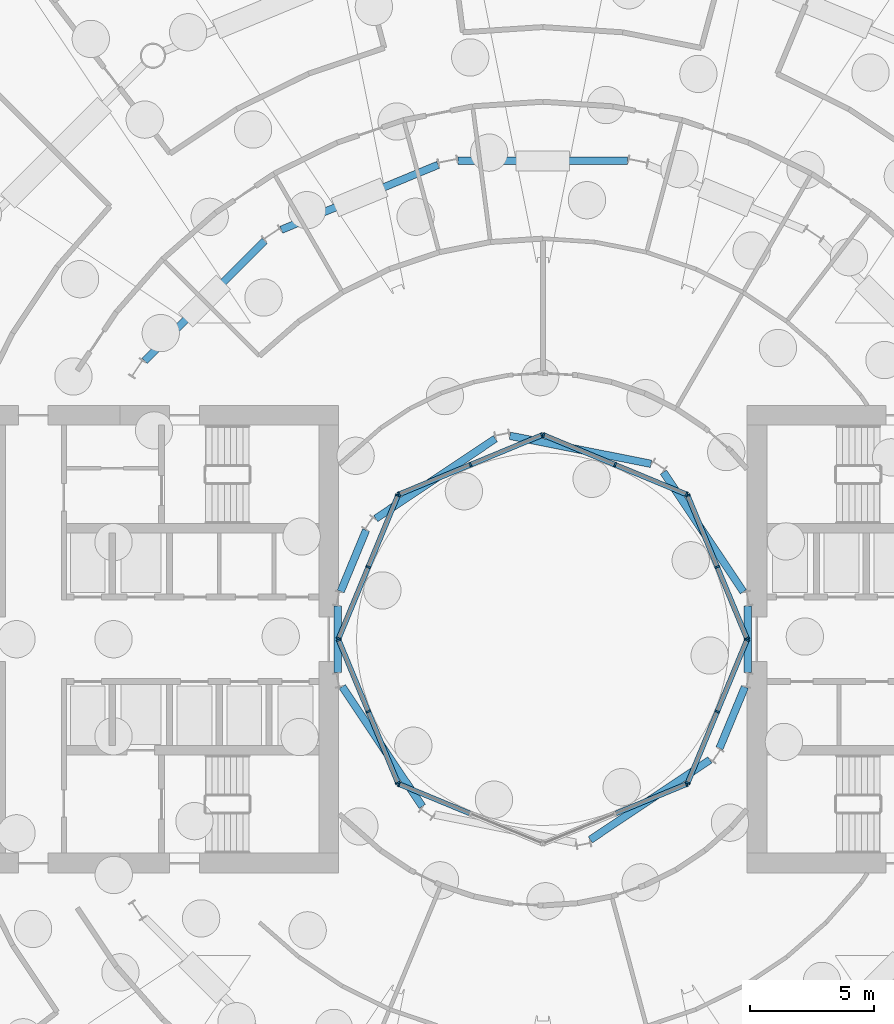
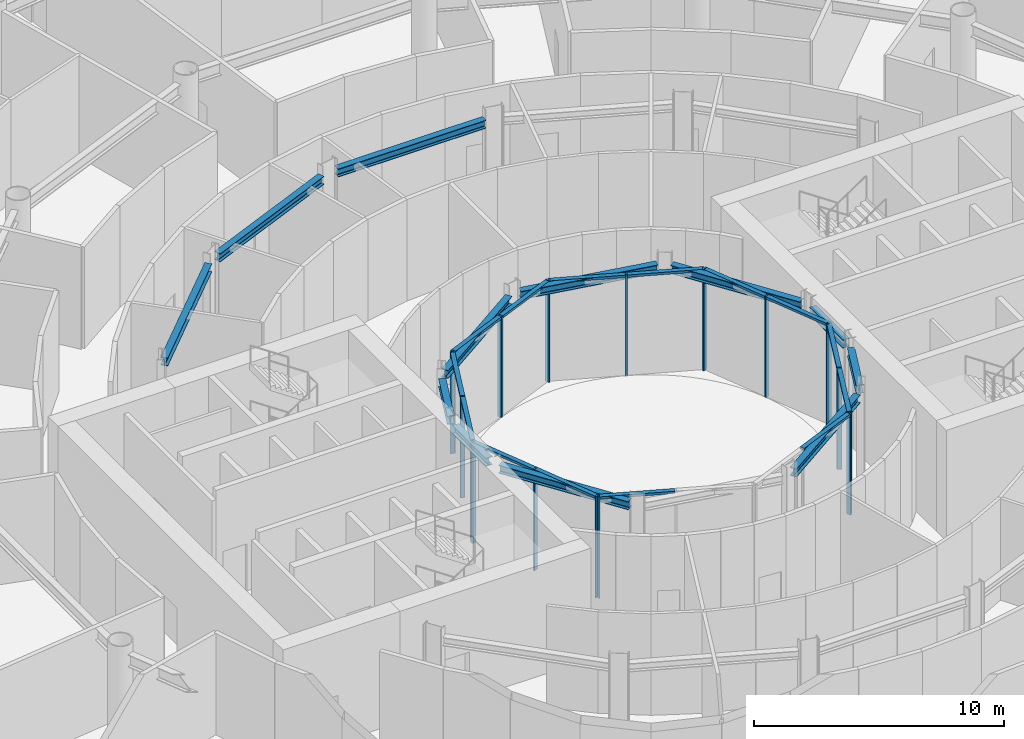
# One storey, part 14 of 41: 34 members, 12 beams, 8 elements without a shape of their own.
"""IFC4 building model written with IfcOpenShell, lengths in metres."""

import ifcopenshell
import ifcopenshell.guid

model = None  # the IFC model being written
_history = None  # IfcOwnerHistory: only IFC2X3 demands one
_inside = {}  # id of a spatial element -> (the spatial element, [elements in it])
_under = {}  # id of a project, library or spatial element -> (it, [spatial elements below it])
_declared = {}  # id of a project -> (the project, [libraries it declares])
_typed = {}  # id of a type object -> (the type object, [elements of that type])
_made_of = {}  # id of a material, layer set ... -> (it, [elements and type objects made of it])


def new_model(schema):
    """Start an empty IFC model of exactly this schema.

    Asked for "IFC4X3", IfcOpenShell would pick the latest addendum, in which some entities
    have other attributes; the version numbers below select the first issue.
    IFC2X3 requires an IfcOwnerHistory on every rooted entity: one is made here for all.
    """
    global model, _history
    if schema == "IFC4X3":
        model = ifcopenshell.file(schema_version=(4, 3, 0, 0))
    else:
        model = ifcopenshell.file(schema=schema)
    _inside.clear()
    _under.clear()
    _declared.clear()
    _typed.clear()
    _made_of.clear()
    _history = None
    if model.schema == "IFC2X3":
        org = make("IfcOrganization", Name="unknown")
        user = make(
            "IfcPersonAndOrganization",
            ThePerson=make("IfcPerson", FamilyName="unknown"),
            TheOrganization=org,
        )
        app = make(
            "IfcApplication",
            ApplicationDeveloper=org,
            Version="unknown",
            ApplicationFullName="unknown",
            ApplicationIdentifier="unknown",
        )
        _history = make(
            "IfcOwnerHistory",
            OwningUser=user,
            OwningApplication=app,
            ChangeAction="ADDED",
            CreationDate=0,
        )
    return model


def make(cls, **values):
    """One entity of the class cls with the attributes given. An attribute that is None is left unset."""
    return model.create_entity(
        cls, **{name: value for name, value in values.items() if value is not None}
    )


def rooted(cls, **values):
    """An entity with a GlobalId (a new one), such as an element, a storey or a relation."""
    return make(cls, GlobalId=ifcopenshell.guid.new(), OwnerHistory=_history, **values)


def si_unit(unit_type, name, prefix=None):
    """IfcSIUnit, for example si_unit("LENGTHUNIT", "METRE", prefix="MILLI")."""
    return make("IfcSIUnit", UnitType=unit_type, Prefix=prefix, Name=name)


def assignment(units):
    """IfcUnitAssignment: the units of a project."""
    return None if units is None else make("IfcUnitAssignment", Units=units)


def point(xyz):
    """IfcCartesianPoint."""
    return None if xyz is None else make("IfcCartesianPoint", Coordinates=xyz)


def direction(xyz):
    """IfcDirection."""
    return None if xyz is None else make("IfcDirection", DirectionRatios=xyz)


def frame(location, z_axis=None, x_axis=None):
    """IfcAxis2Placement3D, a coordinate frame: its origin and axes. An axis left out is left unset."""
    return make(
        "IfcAxis2Placement3D",
        Location=point(location),
        Axis=direction(z_axis),
        RefDirection=direction(x_axis),
    )


def frame_2d(location, x_axis=None):
    """IfcAxis2Placement2D, a coordinate frame in the plane: its origin and x axis."""
    return make(
        "IfcAxis2Placement2D", Location=point(location), RefDirection=direction(x_axis)
    )


def origin():
    """The frame at (0, 0, 0) with its axes left unset."""
    return frame((0.0, 0.0, 0.0))


def origin_2d():
    """The frame at (0, 0) in the plane with its x axis left unset."""
    return frame_2d((0.0, 0.0))


def place(relative_to, where):
    """IfcLocalPlacement: puts the frame where relative to a parent placement (None: the world)."""
    return make(
        "IfcLocalPlacement", PlacementRelTo=relative_to, RelativePlacement=where
    )


def context(
    kind, dimensions, precision=None, world=None, true_north=None, identifier=None
):
    """IfcGeometricRepresentationContext, for example the 3D "Model" context."""
    return make(
        "IfcGeometricRepresentationContext",
        ContextIdentifier=identifier,
        ContextType=kind,
        CoordinateSpaceDimension=dimensions,
        Precision=precision,
        WorldCoordinateSystem=world,
        TrueNorth=true_north,
    )


def subcontext(parent, identifier, kind, view, scale=None):
    """IfcGeometricRepresentationSubContext, for example "Body" below "Model"."""
    return make(
        "IfcGeometricRepresentationSubContext",
        ContextIdentifier=identifier,
        ContextType=kind,
        ParentContext=parent,
        TargetScale=scale,
        TargetView=view,
    )


def project(units=None, contexts=None):
    """IfcProject with its units and contexts."""
    return rooted(
        "IfcProject",
        Name="project",
        RepresentationContexts=contexts,
        UnitsInContext=assignment(units),
    )


def spatial(cls, under=None, at=None, **own):
    """A site, building, storey or space (cls), placed at a placement, below another one or the project."""
    s = rooted(cls, ObjectPlacement=at, **own)
    if under is not None:
        _under.setdefault(under.id(), (under, []))[1].append(s)
    return s


def profile(cls, at=None, kind="AREA", **sizes):
    """A parametric profile (cls). Its sizes go by their IFC names, for example OverallWidth=200.0."""
    return make(cls, ProfileType=kind, Position=at, **sizes)


def rectangle(**sizes):
    """IfcRectangleProfileDef."""
    return profile("IfcRectangleProfileDef", **sizes)


def i_section(**sizes):
    """IfcIShapeProfileDef."""
    return profile("IfcIShapeProfileDef", **sizes)


def extrude(swept, where, along, depth):
    """IfcExtrudedAreaSolid: the profile swept, set in the frame where, extruded along a direction by depth."""
    return make(
        "IfcExtrudedAreaSolid",
        SweptArea=swept,
        Position=where,
        ExtrudedDirection=direction(along),
        Depth=depth,
    )


def shape(context_of_items, identifier, shape_type, items):
    """IfcShapeRepresentation: the items that make up one representation, for example the "Body"."""
    return make(
        "IfcShapeRepresentation",
        ContextOfItems=context_of_items,
        RepresentationIdentifier=identifier,
        RepresentationType=shape_type,
        Items=items,
    )


def material(Name=None, Category=None):
    """IfcMaterial."""
    return make("IfcMaterial", Name=Name, Category=Category)


def layer(
    of_material, thickness, ventilated=None, Name=None, Category=None, Priority=None
):
    """IfcMaterialLayer: one layer of a wall or slab, of a material (None: an air gap)."""
    return make(
        "IfcMaterialLayer",
        Material=of_material,
        LayerThickness=thickness,
        IsVentilated=ventilated,
        Name=Name,
        Category=Category,
        Priority=Priority,
    )


def layer_set(layers, Name=None):
    """IfcMaterialLayerSet."""
    return make("IfcMaterialLayerSet", MaterialLayers=layers, LayerSetName=Name)


def material_profile(
    of_material, cross_section, Name=None, Category=None, Priority=None
):
    """IfcMaterialProfile: a cross section and its material."""
    return make(
        "IfcMaterialProfile",
        Name=Name,
        Material=of_material,
        Profile=cross_section,
        Priority=Priority,
        Category=Category,
    )


def profile_set(profiles, Name=None, composite=None):
    """IfcMaterialProfileSet."""
    return make(
        "IfcMaterialProfileSet",
        Name=Name,
        MaterialProfiles=profiles,
        CompositeProfile=composite,
    )


def made_of(thing, what):
    """Note that an element or type object is made of a material, layer set ...; save() writes the relation."""
    if what is not None:
        _made_of.setdefault(what.id(), (what, []))[1].append(thing)
    return thing


def type_object(cls, material=None, **own):
    """A type object (cls), such as IfcWallType, which elements share."""
    return made_of(rooted(cls, **own), material)


def element(
    cls,
    number,
    at=None,
    inside=None,
    cuts=None,
    type_object=None,
    material=None,
    context=None,
    identifier="Body",
    shape_type=None,
    held_by="IfcProductDefinitionShape",
    body=None,
    shapes=None,
    **own,
):
    """One element of the class cls, such as IfcWall. Its Tag is "e" and its number.

    at: its placement. inside: the storey or other place that contains it. cuts: it is an
    opening in that element (IfcRelVoidsElement). A single representation is given by context,
    identifier, shape_type and body (its items); several are given by shapes. held_by: the class
    of the entity that holds the representations. save() writes the other relations.
    """
    e = rooted(cls, Tag="e%d" % number, ObjectPlacement=at, **own)
    if body is not None:
        shapes = [shape(context, identifier, shape_type, body)]
    if shapes is not None:
        e.Representation = make(held_by, Representations=shapes)
    if inside is not None:
        _inside.setdefault(inside.id(), (inside, []))[1].append(e)
    if cuts is not None:
        rooted(
            "IfcRelVoidsElement", RelatingBuildingElement=cuts, RelatedOpeningElement=e
        )
    if type_object is not None:
        _typed.setdefault(type_object.id(), (type_object, []))[1].append(e)
    return made_of(e, material)


def aggregate(whole, parts):
    """IfcRelAggregates: a whole, such as a stair, and the parts it consists of."""
    return rooted("IfcRelAggregates", RelatingObject=whole, RelatedObjects=parts)


def save(model, path):
    """Write the relations noted so far, then the file.

    IfcRelAggregates (storeys below a building ...), IfcRelContainedInSpatialStructure (elements
    in a storey), IfcRelDefinesByType, IfcRelAssociatesMaterial and IfcRelDeclares: one each for
    every whole, place, type object, material and project.
    """
    for whole, parts in _under.values():
        aggregate(whole, parts)
    for where, things in _inside.values():
        rooted(
            "IfcRelContainedInSpatialStructure",
            RelatedElements=things,
            RelatingStructure=where,
        )
    for kind, things in _typed.values():
        rooted("IfcRelDefinesByType", RelatedObjects=things, RelatingType=kind)
    for what, things in _made_of.values():
        rooted("IfcRelAssociatesMaterial", RelatedObjects=things, RelatingMaterial=what)
    for by, libraries in _declared.values():
        rooted("IfcRelDeclares", RelatingContext=by, RelatedDefinitions=libraries)
    model.write(path)


model = new_model("IFC4")

# Units and contexts
model_context = context("Model", 3, precision=1e-05, world=origin(), true_north=direction((0.0, 1.0)))
body_context = subcontext(model_context, "Body", "Model", "MODEL_VIEW")
ifc_project = project(units=[si_unit("LENGTHUNIT", "METRE"), si_unit("AREAUNIT", "SQUARE_METRE"), si_unit("VOLUMEUNIT", "CUBIC_METRE"), si_unit("PLANEANGLEUNIT", "RADIAN"), si_unit("MASSUNIT", "GRAM", prefix="KILO")], contexts=[model_context])

# Site, building, storey
site_placement = place(None, origin())
site = spatial("IfcSite", under=ifc_project, at=site_placement, CompositionType="ELEMENT")
building_placement = place(site_placement, origin())
building = spatial("IfcBuilding", under=site, at=building_placement, Name="Maasbend Ring Residences", CompositionType="ELEMENT")
storey_placement = place(building_placement, origin())
storey = spatial("IfcBuildingStorey", under=building, at=storey_placement, Name="L00", CompositionType="ELEMENT", Elevation=0.0)

# Curtain wall, members
ifc_material_1 = material(Name="Aluminium and clear glass", Category="aluminium")
ifc_layer = layer(ifc_material_1, 0.199951171875)
ifc_layer_set = layer_set([ifc_layer], Name="CW-LR")
curtain_wall_type = type_object("IfcCurtainWallType", Name="CW-LR", PredefinedType="NOTDEFINED", material=ifc_layer_set)
curtain_wall_1_placement = place(storey_placement, origin())
curtain_wall_1 = element("IfcCurtainWall", 1, at=curtain_wall_1_placement, inside=storey, type_object=curtain_wall_type, Name="Lobby ring curtain wall 01", PredefinedType="NOTDEFINED")
ifc_material_2 = material(Name="Aluminium 6063-T6", Category="aluminium")
ifc_material_profile_1 = material_profile(ifc_material_2, rectangle(XDim=0.199951171875, YDim=0.070068359375, at=origin_2d()), Name="AL 200x70")
ifc_profile_set_1 = profile_set([ifc_material_profile_1], Name="Aluminium 6063-T6")
member_type_1 = type_object("IfcMemberType", Name="CWM-LR", PredefinedType="MULLION", material=ifc_profile_set_1)
member_1_placement = place(storey_placement, frame((8.201904296875, 0.0322265625, 0.0), z_axis=(0.0, 0.0, 1.0), x_axis=(-0.923879532511, -0.382683432365, 0.0)))
member_1 = element("IfcMember", 2, at=member_1_placement, type_object=member_type_1, Name="Mullion podium lobby ring", PredefinedType="MULLION", context=body_context, shape_type="SweptSolid", body=[
    extrude(rectangle(XDim=0.199951171875, YDim=0.070068359375, at=origin_2d()), origin(), (0.0, 0.0, 1.0), 4.949951171875),
])
member_2_placement = place(storey_placement, frame((7.01220703125, 2.904541015625, 0.0), z_axis=(0.0, 0.0, 1.0), x_axis=(-0.923879532511, -0.382683432365, 0.0)))
member_2 = element("IfcMember", 3, at=member_2_placement, type_object=member_type_1, Name="Mullion podium lobby ring", PredefinedType="MULLION", context=body_context, shape_type="SweptSolid", body=[
    extrude(rectangle(XDim=0.199951171875, YDim=0.070068359375, at=origin_2d()), origin(), (0.0, 0.0, 1.0), 4.949951171875),
])
member_3_placement = place(storey_placement, frame((5.822509765625, 5.77685546875, 0.0), z_axis=(0.0, 0.0, 1.0), x_axis=(-0.923879532511, -0.382683432365, 0.0)))
member_3 = element("IfcMember", 4, at=member_3_placement, type_object=member_type_1, Name="Mullion podium lobby ring", PredefinedType="MULLION", context=body_context, shape_type="SweptSolid", body=[
    extrude(rectangle(XDim=0.199951171875, YDim=0.070068359375, at=origin_2d()), origin(), (0.0, 0.0, 1.0), 4.949951171875),
])

curtain_wall_2_placement = place(storey_placement, origin())
curtain_wall_2 = element("IfcCurtainWall", 5, at=curtain_wall_2_placement, inside=storey, type_object=curtain_wall_type, Name="Lobby ring curtain wall 02", PredefinedType="NOTDEFINED")
member_4_placement = place(storey_placement, frame((5.77685546875, 5.822509765625, 0.0), z_axis=(0.0, 0.0, 1.0), x_axis=(-0.382683432365, -0.923879532511, 0.0)))
member_4 = element("IfcMember", 6, at=member_4_placement, type_object=member_type_1, Name="Mullion podium lobby ring", PredefinedType="MULLION", context=body_context, shape_type="SweptSolid", body=[
    extrude(rectangle(XDim=0.199951171875, YDim=0.070068359375, at=origin_2d()), origin(), (0.0, 0.0, 1.0), 4.949951171875),
])
member_5_placement = place(storey_placement, frame((2.904541015625, 7.01220703125, 0.0), z_axis=(0.0, 0.0, 1.0), x_axis=(-0.382683432365, -0.923879532511, 0.0)))
member_5 = element("IfcMember", 7, at=member_5_placement, type_object=member_type_1, Name="Mullion podium lobby ring", PredefinedType="MULLION", context=body_context, shape_type="SweptSolid", body=[
    extrude(rectangle(XDim=0.199951171875, YDim=0.070068359375, at=origin_2d()), origin(), (0.0, 0.0, 1.0), 4.949951171875),
])
member_6_placement = place(storey_placement, frame((0.0322265625, 8.201904296875, 0.0), z_axis=(0.0, 0.0, 1.0), x_axis=(-0.382683432365, -0.923879532511, 0.0)))
member_6 = element("IfcMember", 8, at=member_6_placement, type_object=member_type_1, Name="Mullion podium lobby ring", PredefinedType="MULLION", context=body_context, shape_type="SweptSolid", body=[
    extrude(rectangle(XDim=0.199951171875, YDim=0.070068359375, at=origin_2d()), origin(), (0.0, 0.0, 1.0), 4.949951171875),
])

curtain_wall_3_placement = place(storey_placement, origin())
curtain_wall_3 = element("IfcCurtainWall", 9, at=curtain_wall_3_placement, inside=storey, type_object=curtain_wall_type, Name="Lobby ring curtain wall 03", PredefinedType="NOTDEFINED")
member_7_placement = place(storey_placement, frame((-0.0322265625, 8.201904296875, 0.0), z_axis=(0.0, 0.0, 1.0), x_axis=(0.382683432365, -0.923879532511, 0.0)))
member_7 = element("IfcMember", 10, at=member_7_placement, type_object=member_type_1, Name="Mullion podium lobby ring", PredefinedType="MULLION", context=body_context, shape_type="SweptSolid", body=[
    extrude(rectangle(XDim=0.199951171875, YDim=0.070068359375, at=origin_2d()), origin(), (0.0, 0.0, 1.0), 4.949951171875),
])
member_8_placement = place(storey_placement, frame((-2.904541015625, 7.01220703125, 0.0), z_axis=(0.0, 0.0, 1.0), x_axis=(0.382683432365, -0.923879532511, 0.0)))
member_8 = element("IfcMember", 11, at=member_8_placement, type_object=member_type_1, Name="Mullion podium lobby ring", PredefinedType="MULLION", context=body_context, shape_type="SweptSolid", body=[
    extrude(rectangle(XDim=0.199951171875, YDim=0.070068359375, at=origin_2d()), origin(), (0.0, 0.0, 1.0), 4.949951171875),
])
member_9_placement = place(storey_placement, frame((-5.77685546875, 5.822509765625, 0.0), z_axis=(0.0, 0.0, 1.0), x_axis=(0.382683432365, -0.923879532511, 0.0)))
member_9 = element("IfcMember", 12, at=member_9_placement, type_object=member_type_1, Name="Mullion podium lobby ring", PredefinedType="MULLION", context=body_context, shape_type="SweptSolid", body=[
    extrude(rectangle(XDim=0.199951171875, YDim=0.070068359375, at=origin_2d()), origin(), (0.0, 0.0, 1.0), 4.949951171875),
])

curtain_wall_4_placement = place(storey_placement, origin())
curtain_wall_4 = element("IfcCurtainWall", 13, at=curtain_wall_4_placement, inside=storey, type_object=curtain_wall_type, Name="Lobby ring curtain wall 04", PredefinedType="NOTDEFINED")
member_10_placement = place(storey_placement, frame((-5.822509765625, 5.77685546875, 0.0), z_axis=(0.0, 0.0, 1.0), x_axis=(0.923879532511, -0.382683432365, 0.0)))
member_10 = element("IfcMember", 14, at=member_10_placement, type_object=member_type_1, Name="Mullion podium lobby ring", PredefinedType="MULLION", context=body_context, shape_type="SweptSolid", body=[
    extrude(rectangle(XDim=0.199951171875, YDim=0.070068359375, at=origin_2d()), origin(), (0.0, 0.0, 1.0), 4.949951171875),
])
member_11_placement = place(storey_placement, frame((-7.01220703125, 2.904541015625, 0.0), z_axis=(0.0, 0.0, 1.0), x_axis=(0.923879532511, -0.382683432365, 0.0)))
member_11 = element("IfcMember", 15, at=member_11_placement, type_object=member_type_1, Name="Mullion podium lobby ring", PredefinedType="MULLION", context=body_context, shape_type="SweptSolid", body=[
    extrude(rectangle(XDim=0.199951171875, YDim=0.070068359375, at=origin_2d()), origin(), (0.0, 0.0, 1.0), 4.949951171875),
])
member_12_placement = place(storey_placement, frame((-8.201904296875, 0.0322265625, 0.0), z_axis=(0.0, 0.0, 1.0), x_axis=(0.923879532511, -0.382683432365, 0.0)))
member_12 = element("IfcMember", 16, at=member_12_placement, type_object=member_type_1, Name="Mullion podium lobby ring", PredefinedType="MULLION", context=body_context, shape_type="SweptSolid", body=[
    extrude(rectangle(XDim=0.199951171875, YDim=0.070068359375, at=origin_2d()), origin(), (0.0, 0.0, 1.0), 4.949951171875),
])

curtain_wall_5_placement = place(storey_placement, origin())
curtain_wall_5 = element("IfcCurtainWall", 17, at=curtain_wall_5_placement, inside=storey, type_object=curtain_wall_type, Name="Lobby ring curtain wall 05", PredefinedType="NOTDEFINED")
member_13_placement = place(storey_placement, frame((-8.201904296875, -0.0322265625, 0.0), z_axis=(0.0, 0.0, 1.0), x_axis=(0.923879532511, 0.382683432365, 0.0)))
member_13 = element("IfcMember", 18, at=member_13_placement, type_object=member_type_1, Name="Mullion podium lobby ring", PredefinedType="MULLION", context=body_context, shape_type="SweptSolid", body=[
    extrude(rectangle(XDim=0.199951171875, YDim=0.070068359375, at=origin_2d()), origin(), (0.0, 0.0, 1.0), 4.949951171875),
])
member_14_placement = place(storey_placement, frame((-7.01220703125, -2.904541015625, 0.0), z_axis=(0.0, 0.0, 1.0), x_axis=(0.923879532511, 0.382683432365, 0.0)))
member_14 = element("IfcMember", 19, at=member_14_placement, type_object=member_type_1, Name="Mullion podium lobby ring", PredefinedType="MULLION", context=body_context, shape_type="SweptSolid", body=[
    extrude(rectangle(XDim=0.199951171875, YDim=0.070068359375, at=origin_2d()), origin(), (0.0, 0.0, 1.0), 4.949951171875),
])
member_15_placement = place(storey_placement, frame((-5.822509765625, -5.77685546875, 0.0), z_axis=(0.0, 0.0, 1.0), x_axis=(0.923879532511, 0.382683432365, 0.0)))
member_15 = element("IfcMember", 20, at=member_15_placement, type_object=member_type_1, Name="Mullion podium lobby ring", PredefinedType="MULLION", context=body_context, shape_type="SweptSolid", body=[
    extrude(rectangle(XDim=0.199951171875, YDim=0.070068359375, at=origin_2d()), origin(), (0.0, 0.0, 1.0), 4.949951171875),
])

# Curtain wall, member
curtain_wall_6_placement = place(storey_placement, origin())
curtain_wall_6 = element("IfcCurtainWall", 21, at=curtain_wall_6_placement, inside=storey, type_object=curtain_wall_type, Name="Lobby ring curtain wall 06", PredefinedType="NOTDEFINED")
member_16_placement = place(storey_placement, frame((-5.77685546875, -5.822509765625, 0.0), z_axis=(0.0, 0.0, 1.0), x_axis=(0.382683432365, 0.923879532511, 0.0)))
member_16 = element("IfcMember", 22, at=member_16_placement, type_object=member_type_1, Name="Mullion podium lobby ring", PredefinedType="MULLION", context=body_context, shape_type="SweptSolid", body=[
    extrude(rectangle(XDim=0.199951171875, YDim=0.070068359375, at=origin_2d()), origin(), (0.0, 0.0, 1.0), 4.949951171875),
])

curtain_wall_7_placement = place(storey_placement, origin())
curtain_wall_7 = element("IfcCurtainWall", 23, at=curtain_wall_7_placement, inside=storey, type_object=curtain_wall_type, Name="Lobby ring curtain wall 07", PredefinedType="NOTDEFINED")
member_17_placement = place(storey_placement, frame((5.77685546875, -5.822509765625, 0.0), z_axis=(0.0, 0.0, 1.0), x_axis=(-0.382683432365, 0.923879532511, 0.0)))
member_17 = element("IfcMember", 24, at=member_17_placement, type_object=member_type_1, Name="Mullion podium lobby ring", PredefinedType="MULLION", context=body_context, shape_type="SweptSolid", body=[
    extrude(rectangle(XDim=0.199951171875, YDim=0.070068359375, at=origin_2d()), origin(), (0.0, 0.0, 1.0), 4.949951171875),
])

# Curtain wall, members
curtain_wall_8_placement = place(storey_placement, origin())
curtain_wall_8 = element("IfcCurtainWall", 25, at=curtain_wall_8_placement, inside=storey, type_object=curtain_wall_type, Name="Lobby ring curtain wall 08", PredefinedType="NOTDEFINED")
member_18_placement = place(storey_placement, frame((5.822509765625, -5.77685546875, 0.0), z_axis=(0.0, 0.0, 1.0), x_axis=(-0.923879532511, 0.382683432365, 0.0)))
member_18 = element("IfcMember", 26, at=member_18_placement, type_object=member_type_1, Name="Mullion podium lobby ring", PredefinedType="MULLION", context=body_context, shape_type="SweptSolid", body=[
    extrude(rectangle(XDim=0.199951171875, YDim=0.070068359375, at=origin_2d()), origin(), (0.0, 0.0, 1.0), 4.949951171875),
])
member_19_placement = place(storey_placement, frame((7.01220703125, -2.904541015625, 0.0), z_axis=(0.0, 0.0, 1.0), x_axis=(-0.923879532511, 0.382683432365, 0.0)))
member_19 = element("IfcMember", 27, at=member_19_placement, type_object=member_type_1, Name="Mullion podium lobby ring", PredefinedType="MULLION", context=body_context, shape_type="SweptSolid", body=[
    extrude(rectangle(XDim=0.199951171875, YDim=0.070068359375, at=origin_2d()), origin(), (0.0, 0.0, 1.0), 4.949951171875),
])
member_20_placement = place(storey_placement, frame((8.201904296875, -0.0322265625, 0.0), z_axis=(0.0, 0.0, 1.0), x_axis=(-0.923879532511, 0.382683432365, 0.0)))
member_20 = element("IfcMember", 28, at=member_20_placement, type_object=member_type_1, Name="Mullion podium lobby ring", PredefinedType="MULLION", context=body_context, shape_type="SweptSolid", body=[
    extrude(rectangle(XDim=0.199951171875, YDim=0.070068359375, at=origin_2d()), origin(), (0.0, 0.0, 1.0), 4.949951171875),
])

# Member
ifc_material_3 = material(Name="Aluminium 6063-T6", Category="aluminium")
ifc_material_profile_2 = material_profile(ifc_material_3, rectangle(XDim=0.199951171875, YDim=0.1201171875, at=origin_2d()), Name="AL 200x120")
ifc_profile_set_2 = profile_set([ifc_material_profile_2], Name="Aluminium 6063-T6")
member_type_2 = type_object("IfcMemberType", Name="CWT-LR", PredefinedType="USERDEFINED", material=ifc_profile_set_2)
member_21_placement = place(storey_placement, frame((8.1884765625, 0.064697265625, 4.889892578125), z_axis=(-0.382652165019, 0.92389248325, 0.0), x_axis=(-0.92389248325, -0.382652165019, 0.0)))
member_21 = element("IfcMember", 29, at=member_21_placement, type_object=member_type_2, Name="Transom podium lobby ring", ObjectType="TRANSOM", PredefinedType="USERDEFINED", context=body_context, shape_type="SweptSolid", body=[
    extrude(rectangle(XDim=0.199951171875, YDim=0.1201171875, at=origin_2d()), origin(), (0.0, 0.0, 1.0), 3.038818359375),
])

member_22_placement = place(storey_placement, frame((6.998779296875, 2.93701171875, 4.889892578125), z_axis=(-0.382680568965, 0.923880718565, 0.0), x_axis=(-0.923880718565, -0.382680568965, 0.0)))
member_22 = element("IfcMember", 30, at=member_22_placement, type_object=member_type_2, Name="Transom podium lobby ring", ObjectType="TRANSOM", PredefinedType="USERDEFINED", context=body_context, shape_type="SweptSolid", body=[
    extrude(rectangle(XDim=0.199951171875, YDim=0.1201171875, at=origin_2d()), origin(), (0.0, 0.0, 1.0), 3.03857421875),
])

aggregate(curtain_wall_1, [member_1, member_2, member_3, member_21, member_22])

member_23_placement = place(storey_placement, frame((5.744384765625, 5.8359375, 4.889892578125), z_axis=(-0.923880718565, 0.382680568965, 0.0), x_axis=(-0.382680568965, -0.923880718565, 0.0)))
member_23 = element("IfcMember", 31, at=member_23_placement, type_object=member_type_2, Name="Transom podium lobby ring", ObjectType="TRANSOM", PredefinedType="USERDEFINED", context=body_context, shape_type="SweptSolid", body=[
    extrude(rectangle(XDim=0.199951171875, YDim=0.1201171875, at=origin_2d()), origin(), (0.0, 0.0, 1.0), 3.03857421875),
])

member_24_placement = place(storey_placement, frame((2.872314453125, 7.025634765625, 4.889892578125), z_axis=(-0.92389248325, 0.382652165019, 0.0), x_axis=(-0.382652165019, -0.92389248325, 0.0)))
member_24 = element("IfcMember", 32, at=member_24_placement, type_object=member_type_2, Name="Transom podium lobby ring", ObjectType="TRANSOM", PredefinedType="USERDEFINED", context=body_context, shape_type="SweptSolid", body=[
    extrude(rectangle(XDim=0.199951171875, YDim=0.1201171875, at=origin_2d()), origin(), (0.0, 0.0, 1.0), 3.038818359375),
])

aggregate(curtain_wall_2, [member_4, member_5, member_6, member_23, member_24])

member_25_placement = place(storey_placement, frame((-0.064697265625, 8.1884765625, 4.889892578125), z_axis=(-0.92389248325, -0.382652165019, 0.0), x_axis=(0.382652165019, -0.92389248325, 0.0)))
member_25 = element("IfcMember", 33, at=member_25_placement, type_object=member_type_2, Name="Transom podium lobby ring", ObjectType="TRANSOM", PredefinedType="USERDEFINED", context=body_context, shape_type="SweptSolid", body=[
    extrude(rectangle(XDim=0.199951171875, YDim=0.1201171875, at=origin_2d()), origin(), (0.0, 0.0, 1.0), 3.038818359375),
])

member_26_placement = place(storey_placement, frame((-2.93701171875, 6.998779296875, 4.889892578125), z_axis=(-0.923880718565, -0.382680568965, 0.0), x_axis=(0.382680568965, -0.923880718565, 0.0)))
member_26 = element("IfcMember", 34, at=member_26_placement, type_object=member_type_2, Name="Transom podium lobby ring", ObjectType="TRANSOM", PredefinedType="USERDEFINED", context=body_context, shape_type="SweptSolid", body=[
    extrude(rectangle(XDim=0.199951171875, YDim=0.1201171875, at=origin_2d()), origin(), (0.0, 0.0, 1.0), 3.03857421875),
])

aggregate(curtain_wall_3, [member_7, member_8, member_9, member_25, member_26])

member_27_placement = place(storey_placement, frame((-5.8359375, 5.744384765625, 4.889892578125), z_axis=(-0.382680568965, -0.923880718565, 0.0), x_axis=(0.923880718565, -0.382680568965, 0.0)))
member_27 = element("IfcMember", 35, at=member_27_placement, type_object=member_type_2, Name="Transom podium lobby ring", ObjectType="TRANSOM", PredefinedType="USERDEFINED", context=body_context, shape_type="SweptSolid", body=[
    extrude(rectangle(XDim=0.199951171875, YDim=0.1201171875, at=origin_2d()), origin(), (0.0, 0.0, 1.0), 3.03857421875),
])

member_28_placement = place(storey_placement, frame((-7.025634765625, 2.872314453125, 4.889892578125), z_axis=(-0.382652165019, -0.92389248325, 0.0), x_axis=(0.92389248325, -0.382652165019, 0.0)))
member_28 = element("IfcMember", 36, at=member_28_placement, type_object=member_type_2, Name="Transom podium lobby ring", ObjectType="TRANSOM", PredefinedType="USERDEFINED", context=body_context, shape_type="SweptSolid", body=[
    extrude(rectangle(XDim=0.199951171875, YDim=0.1201171875, at=origin_2d()), origin(), (0.0, 0.0, 1.0), 3.038818359375),
])

aggregate(curtain_wall_4, [member_10, member_11, member_12, member_27, member_28])

member_29_placement = place(storey_placement, frame((-8.1884765625, -0.064697265625, 4.889892578125), z_axis=(0.382652165019, -0.92389248325, 0.0), x_axis=(0.92389248325, 0.382652165019, 0.0)))
member_29 = element("IfcMember", 37, at=member_29_placement, type_object=member_type_2, Name="Transom podium lobby ring", ObjectType="TRANSOM", PredefinedType="USERDEFINED", context=body_context, shape_type="SweptSolid", body=[
    extrude(rectangle(XDim=0.199951171875, YDim=0.1201171875, at=origin_2d()), origin(), (0.0, 0.0, 1.0), 3.038818359375),
])

member_30_placement = place(storey_placement, frame((-6.998779296875, -2.93701171875, 4.889892578125), z_axis=(0.382680568965, -0.923880718565, 0.0), x_axis=(0.923880718565, 0.382680568965, 0.0)))
member_30 = element("IfcMember", 38, at=member_30_placement, type_object=member_type_2, Name="Transom podium lobby ring", ObjectType="TRANSOM", PredefinedType="USERDEFINED", context=body_context, shape_type="SweptSolid", body=[
    extrude(rectangle(XDim=0.199951171875, YDim=0.1201171875, at=origin_2d()), origin(), (0.0, 0.0, 1.0), 3.03857421875),
])

aggregate(curtain_wall_5, [member_13, member_14, member_15, member_29, member_30])

member_31_placement = place(storey_placement, frame((-5.744384765625, -5.8359375, 4.889892578125), z_axis=(0.923880718565, -0.382680568965, 0.0), x_axis=(0.382680568965, 0.923880718565, 0.0)))
member_31 = element("IfcMember", 39, at=member_31_placement, type_object=member_type_2, Name="Transom podium lobby ring", ObjectType="TRANSOM", PredefinedType="USERDEFINED", context=body_context, shape_type="SweptSolid", body=[
    extrude(rectangle(XDim=0.199951171875, YDim=0.1201171875, at=origin_2d()), origin(), (0.0, 0.0, 1.0), 3.03857421875),
])

aggregate(curtain_wall_6, [member_16, member_31])

member_32_placement = place(storey_placement, frame((2.93701171875, -6.998779296875, 4.889892578125), z_axis=(0.923880718565, 0.382680568965, 0.0), x_axis=(-0.382680568965, 0.923880718565, 0.0)))
member_32 = element("IfcMember", 40, at=member_32_placement, type_object=member_type_2, Name="Transom podium lobby ring", ObjectType="TRANSOM", PredefinedType="USERDEFINED", context=body_context, shape_type="SweptSolid", body=[
    extrude(rectangle(XDim=0.199951171875, YDim=0.1201171875, at=origin_2d()), origin(), (0.0, 0.0, 1.0), 3.03857421875),
])

aggregate(curtain_wall_7, [member_17, member_32])

member_33_placement = place(storey_placement, frame((5.8359375, -5.744384765625, 4.889892578125), z_axis=(0.382680568965, 0.923880718565, 0.0), x_axis=(-0.923880718565, 0.382680568965, 0.0)))
member_33 = element("IfcMember", 41, at=member_33_placement, type_object=member_type_2, Name="Transom podium lobby ring", ObjectType="TRANSOM", PredefinedType="USERDEFINED", context=body_context, shape_type="SweptSolid", body=[
    extrude(rectangle(XDim=0.199951171875, YDim=0.1201171875, at=origin_2d()), origin(), (0.0, 0.0, 1.0), 3.03857421875),
])

member_34_placement = place(storey_placement, frame((7.025634765625, -2.872314453125, 4.889892578125), z_axis=(0.382652165019, 0.92389248325, 0.0), x_axis=(-0.92389248325, 0.382652165019, 0.0)))
member_34 = element("IfcMember", 42, at=member_34_placement, type_object=member_type_2, Name="Transom podium lobby ring", ObjectType="TRANSOM", PredefinedType="USERDEFINED", context=body_context, shape_type="SweptSolid", body=[
    extrude(rectangle(XDim=0.199951171875, YDim=0.1201171875, at=origin_2d()), origin(), (0.0, 0.0, 1.0), 3.038818359375),
])

aggregate(curtain_wall_8, [member_18, member_19, member_20, member_33, member_34])

# Beams
ifc_material_4 = material(Name="Steel S355J2", Category="steel")
ifc_material_profile_3 = material_profile(ifc_material_4, i_section(OverallWidth=0.300048828125, OverallDepth=0.39990234375, WebThickness=0.013427734375, FlangeThickness=0.02392578125, FilletRadius=0.027099609375, at=origin_2d()), Name="HEB 400")
ifc_profile_set_3 = profile_set([ifc_material_profile_3], Name="Steel S355J2")
beam_type_1 = type_object("IfcBeamType", Name="Corridor ring beam HEB 400", PredefinedType="BEAM", material=ifc_profile_set_3)
beam_1_placement = place(storey_placement, frame((3.40869140625, 19.223388671875, 4.75), z_axis=(-1.0, 0.0, 0.0), x_axis=(0.0, -1.0, 0.0)))
element("IfcBeam", 43, at=beam_1_placement, inside=storey, type_object=beam_type_1, Name="Corridor ring beam", PredefinedType="BEAM", context=body_context, shape_type="SweptSolid", body=[
    extrude(i_section(OverallWidth=0.300048828125, OverallDepth=0.39990234375, WebThickness=0.013427734375, FlangeThickness=0.02392578125, FilletRadius=0.027099609375, at=origin_2d()), origin(), (0.0, 0.0, 1.0), 6.8173828125),
])
for number, where, z_axis, x_axis, name in (
    (44, (-4.207275390625, 19.064697265625, 4.75), (-0.92387061516, -0.382704960046, 0.0), (0.382704960046, -0.92387061516, 0.0), "Corridor ring beam"),
    (45, (-11.1826171875, 16.00341796875, 4.75), (-0.707106781187, -0.707106781187, 0.0), (0.707106781187, -0.707106781187, 0.0), "Corridor ring beam"),
):
    element("IfcBeam", number, at=place(storey_placement, frame(where, z_axis=z_axis, x_axis=x_axis)), inside=storey, type_object=beam_type_1, Name=name, PredefinedType="BEAM", context=body_context, shape_type="SweptSolid", body=[
        extrude(i_section(OverallWidth=0.300048828125, OverallDepth=0.39990234375, WebThickness=0.013427734375, FlangeThickness=0.02392578125, FilletRadius=0.027099609375, at=origin_2d()), origin(), (0.0, 0.0, 1.0), 6.817626953125),
    ])
ifc_material_5 = material(Name="Steel S355J2", Category="steel")
ifc_material_profile_4 = material_profile(ifc_material_5, i_section(OverallWidth=0.300048828125, OverallDepth=0.39990234375, WebThickness=0.013427734375, FlangeThickness=0.02392578125, FilletRadius=0.027099609375, at=origin_2d()), Name="HEB 400")
ifc_profile_set_4 = profile_set([ifc_material_profile_4], Name="Steel S355J2")
beam_type_2 = type_object("IfcBeamType", Name="Well edge beam HEB 400", PredefinedType="BEAM", material=ifc_profile_set_4)
for number, where, z_axis, x_axis, name in (
    (46, (8.05810546875, 1.90869140625, 4.75), (-0.555557724977, 0.831477969773, 0.0), (-0.831477969773, -0.555557724977, 0.0), "Well edge beam"),
    (47, (4.348388671875, 7.047607421875, 4.75), (-0.980781612923, 0.195108758779, 0.0), (-0.195108758779, -0.980781612923, 0.0), "Well edge beam"),
    (48, (-1.90869140625, 8.05810546875, 4.75), (-0.831477969773, -0.555557724977, 0.0), (0.555557724977, -0.831477969773, 0.0), "Well edge beam"),
):
    element("IfcBeam", number, at=place(storey_placement, frame(where, z_axis=z_axis, x_axis=x_axis)), inside=storey, type_object=beam_type_2, Name=name, PredefinedType="BEAM", context=body_context, shape_type="SweptSolid", body=[
        extrude(i_section(OverallWidth=0.300048828125, OverallDepth=0.39990234375, WebThickness=0.013427734375, FlangeThickness=0.02392578125, FilletRadius=0.027099609375, at=origin_2d()), origin(), (0.0, 0.0, 1.0), 5.77978515625),
    ])
beam_2_placement = place(storey_placement, frame((-7.101318359375, 4.38427734375, 4.75), z_axis=(-0.382715761492, -0.923866140686, 0.0), x_axis=(0.923866140686, -0.382715761492, 0.0)))
element("IfcBeam", 49, at=beam_2_placement, inside=storey, type_object=beam_type_2, Name="Well edge beam", PredefinedType="BEAM", context=body_context, shape_type="SweptSolid", body=[
    extrude(i_section(OverallWidth=0.300048828125, OverallDepth=0.39990234375, WebThickness=0.013427734375, FlangeThickness=0.02392578125, FilletRadius=0.027099609375, at=origin_2d()), origin(), (0.0, 0.0, 1.0), 2.665771484375),
])
beam_3_placement = place(storey_placement, frame((-8.238525390625, 1.3330078125, 4.75), z_axis=(0.0, -1.0, 0.0), x_axis=(1.0, 0.0, 0.0)))
element("IfcBeam", 50, at=beam_3_placement, inside=storey, type_object=beam_type_2, Name="Well edge beam", PredefinedType="BEAM", context=body_context, shape_type="SweptSolid", body=[
    extrude(i_section(OverallWidth=0.300048828125, OverallDepth=0.39990234375, WebThickness=0.013427734375, FlangeThickness=0.02392578125, FilletRadius=0.027099609375, at=origin_2d()), origin(), (0.0, 0.0, 1.0), 2.666015625),
])
for number, where, z_axis, x_axis, name in (
    (51, (-8.05810546875, -1.90869140625, 4.75), (0.555557724977, -0.831477969773, 0.0), (0.831477969773, 0.555557724977, 0.0), "Well edge beam"),
    (52, (1.90869140625, -8.05810546875, 4.75), (0.831477969773, 0.555557724977, 0.0), (-0.555557724977, 0.831477969773, 0.0), "Well edge beam"),
):
    element("IfcBeam", number, at=place(storey_placement, frame(where, z_axis=z_axis, x_axis=x_axis)), inside=storey, type_object=beam_type_2, Name=name, PredefinedType="BEAM", context=body_context, shape_type="SweptSolid", body=[
        extrude(i_section(OverallWidth=0.300048828125, OverallDepth=0.39990234375, WebThickness=0.013427734375, FlangeThickness=0.02392578125, FilletRadius=0.027099609375, at=origin_2d()), origin(), (0.0, 0.0, 1.0), 5.77978515625),
    ])
beam_4_placement = place(storey_placement, frame((7.101318359375, -4.38427734375, 4.75), z_axis=(0.382715761492, 0.923866140686, 0.0), x_axis=(-0.923866140686, 0.382715761492, 0.0)))
element("IfcBeam", 53, at=beam_4_placement, inside=storey, type_object=beam_type_2, Name="Well edge beam", PredefinedType="BEAM", context=body_context, shape_type="SweptSolid", body=[
    extrude(i_section(OverallWidth=0.300048828125, OverallDepth=0.39990234375, WebThickness=0.013427734375, FlangeThickness=0.02392578125, FilletRadius=0.027099609375, at=origin_2d()), origin(), (0.0, 0.0, 1.0), 2.665771484375),
])
beam_5_placement = place(storey_placement, frame((8.238525390625, -1.3330078125, 4.75), z_axis=(0.0, 1.0, 0.0), x_axis=(-1.0, 0.0, 0.0)))
element("IfcBeam", 54, at=beam_5_placement, inside=storey, type_object=beam_type_2, Name="Well edge beam", PredefinedType="BEAM", context=body_context, shape_type="SweptSolid", body=[
    extrude(i_section(OverallWidth=0.300048828125, OverallDepth=0.39990234375, WebThickness=0.013427734375, FlangeThickness=0.02392578125, FilletRadius=0.027099609375, at=origin_2d()), origin(), (0.0, 0.0, 1.0), 2.666015625),
])

save(model, "model.ifc")
